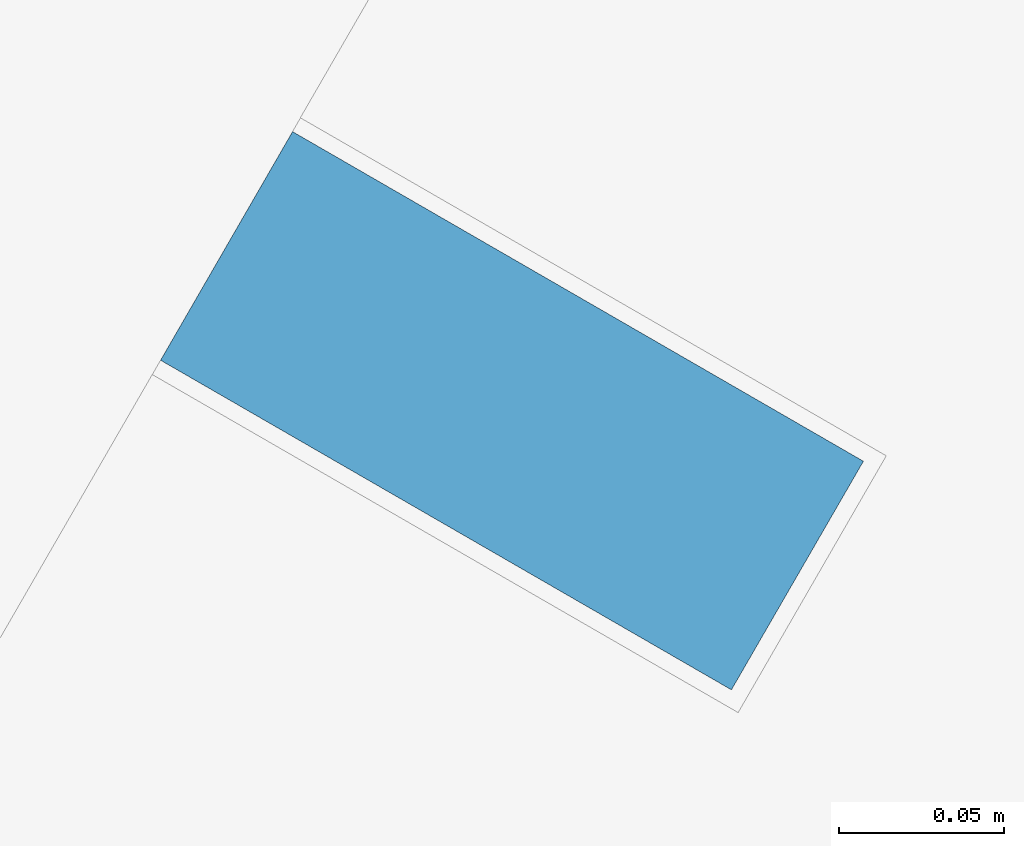
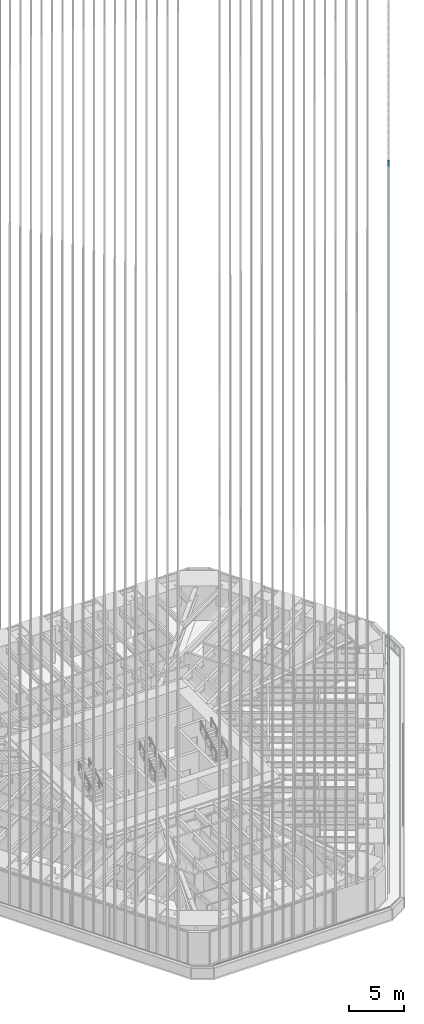
# One storey, part 79 of 238: 1 member, 1 element without a shape of its own.
"""IFC4 building model written with IfcOpenShell, lengths in metres."""

from ifc_helpers import new_model, si_unit, direction, frame, origin, origin_2d, place, context, subcontext, project, spatial, rectangle, extrude, material, material_profile, profile_set, type_object, element, aggregate, save


model = new_model("IFC4")

# Units and contexts
model_context = context("Model", 3, precision=1e-05, world=origin(), true_north=direction((0.0, 1.0)))
body_context = subcontext(model_context, "Body", "Model", "MODEL_VIEW")
ifc_project = project(units=[si_unit("LENGTHUNIT", "METRE"), si_unit("AREAUNIT", "SQUARE_METRE"), si_unit("VOLUMEUNIT", "CUBIC_METRE"), si_unit("PLANEANGLEUNIT", "RADIAN"), si_unit("MASSUNIT", "GRAM", prefix="KILO")], contexts=[model_context])

# Site, building, storey
site_placement = place(None, origin())
site = spatial("IfcSite", under=ifc_project, at=site_placement, CompositionType="ELEMENT")
building_placement = place(site_placement, origin())
building = spatial("IfcBuilding", under=site, at=building_placement, Name="Sandreach Pilgrim Tower", CompositionType="ELEMENT")
storey_placement = place(building_placement, frame((0.0, 0.0, 96.800048828125)))
storey = spatial("IfcBuildingStorey", under=building, at=storey_placement, Name="L23", CompositionType="ELEMENT", Elevation=96.800048828125)

# Curtain wall, member
ifc_material_1 = material(Name="Aluminium framed curtain wall", Category="aluminium")
curtain_wall_type = type_object("IfcCurtainWallType", Name="Hotel tower curtain wall", PredefinedType="NOTDEFINED", material=ifc_material_1)
curtain_wall_placement = place(storey_placement, origin())
curtain_wall = element("IfcCurtainWall", 1, at=curtain_wall_placement, inside=storey, type_object=curtain_wall_type, Name="CW-2 L23 SE", PredefinedType="NOTDEFINED")
ifc_material_2 = material(Name="Extruded terracotta on aluminium core", Category="masonry")
ifc_material_profile = material_profile(ifc_material_2, rectangle(XDim=0.080078125, YDim=0.199951171875, at=origin_2d()), Name="TBE 80X200")
ifc_profile_set = profile_set([ifc_material_profile], Name="Extruded terracotta on aluminium core")
member_type = type_object("IfcMemberType", Name="Terracotta baguette east", PredefinedType="USERDEFINED", material=ifc_profile_set)
member_placement = place(storey_placement, frame((14.873291015625, -20.026123046875, 0.0), z_axis=(0.0, 0.0, 1.0), x_axis=(-0.5, -0.866025403784, 0.0)))
member = element("IfcMember", 2, at=member_placement, type_object=member_type, Name="Baguette Z2 SE26", ObjectType="BAGUETTE", PredefinedType="USERDEFINED", context=body_context, shape_type="SweptSolid", body=[
    extrude(rectangle(XDim=0.080078125, YDim=0.199951171875, at=origin_2d()), origin(), (0.0, 0.0, 1.0), 75.83984375),
])
aggregate(curtain_wall, [member])

save(model, "model.ifc")
